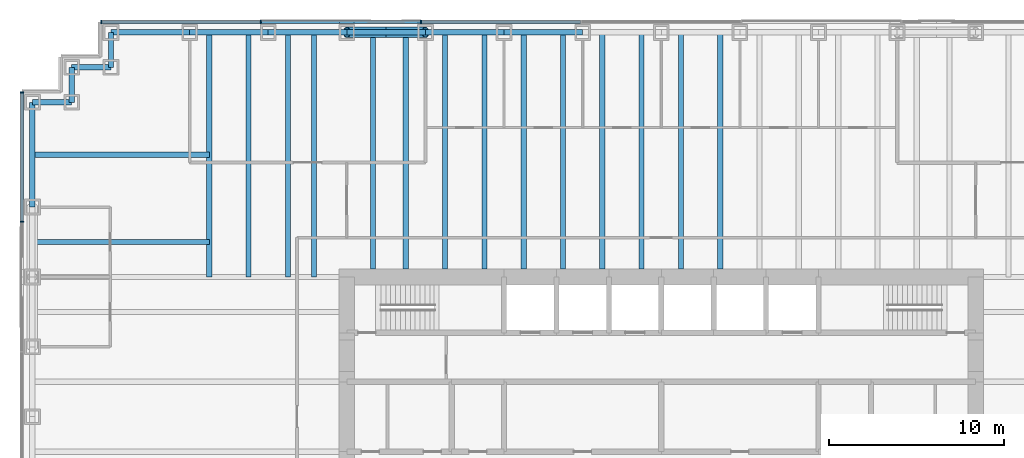
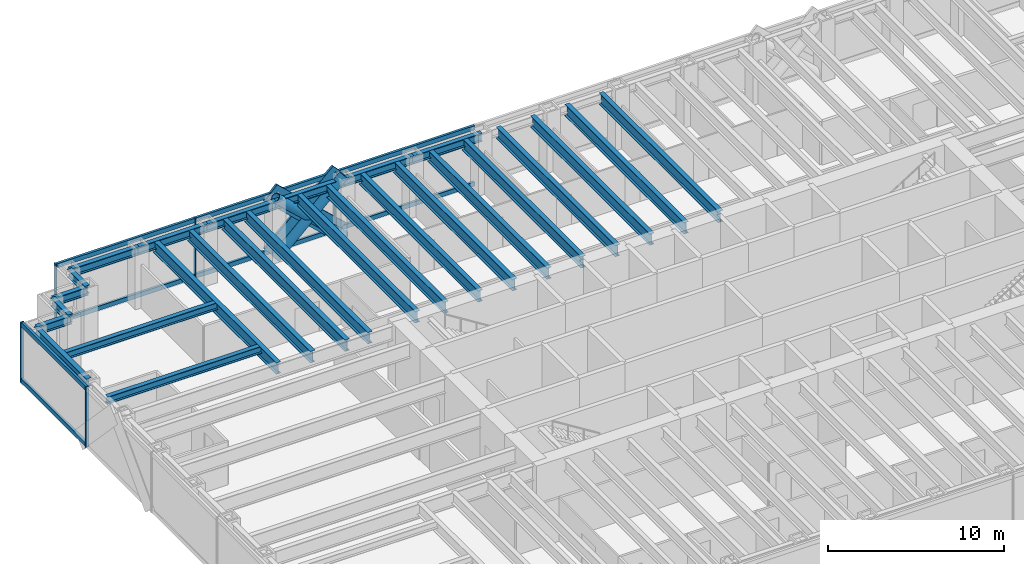
# One storey, part 6 of 15: 27 beams, 17 members, 2 elements without a shape of their own.
"""IFC4 building model written with IfcOpenShell, lengths in metres."""

from ifc_helpers import new_model, si_unit, direction, frame, origin, origin_2d, place, context, subcontext, project, spatial, rectangle, hollow_circle, i_section, extrude, material, material_profile, profile_set, type_object, element, aggregate, save


model = new_model("IFC4")

# Units and contexts
model_context = context("Model", 3, precision=1e-05, world=origin(), true_north=direction((0.0, 1.0)))
body_context = subcontext(model_context, "Body", "Model", "MODEL_VIEW")
ifc_project = project(units=[si_unit("LENGTHUNIT", "METRE"), si_unit("AREAUNIT", "SQUARE_METRE"), si_unit("VOLUMEUNIT", "CUBIC_METRE"), si_unit("PLANEANGLEUNIT", "RADIAN"), si_unit("MASSUNIT", "GRAM", prefix="KILO")], contexts=[model_context])

# Site, building, storey
site_placement = place(None, origin())
site = spatial("IfcSite", under=ifc_project, at=site_placement, CompositionType="ELEMENT")
building_placement = place(site_placement, origin())
building = spatial("IfcBuilding", under=site, at=building_placement, Name="Rheinbord Bourse Tower", CompositionType="ELEMENT")
storey_placement = place(building_placement, frame((0.0, 0.0, 108.89990234375)))
storey = spatial("IfcBuildingStorey", under=building, at=storey_placement, Name="L23", CompositionType="ELEMENT", Elevation=108.89990234375)

# Curtain wall, members
ifc_material_1 = material(Name="Dark glass and black aluminium", Category="aluminium")
curtain_wall_type = type_object("IfcCurtainWallType", Name="CW2 DARK GLASS CURTAIN WALL", PredefinedType="USERDEFINED", material=ifc_material_1)
curtain_wall_1_placement = place(storey_placement, origin())
curtain_wall_1 = element("IfcCurtainWall", 1, at=curtain_wall_1_placement, inside=storey, type_object=curtain_wall_type, Name="Curtain wall CW2 N L23", ObjectType="UNITISED CURTAIN WALL", PredefinedType="USERDEFINED")
ifc_material_2 = material(Name="Black anodised aluminium", Category="aluminium")
ifc_material_profile_1 = material_profile(ifc_material_2, rectangle(XDim=0.159912109375, YDim=1.2099609375, at=origin_2d()), Name="CW2 DIAGONAL MULLION 1210x160")
ifc_profile_set_1 = profile_set([ifc_material_profile_1], Name="Black anodised aluminium")
member_type_1 = type_object("IfcMemberType", Name="CW2 BLACK DIAGONAL MULLION", PredefinedType="USERDEFINED", material=ifc_profile_set_1)
member_1_placement = place(storey_placement, frame((22.5, 46.60009765625, 0.0), z_axis=(-0.731039441158, 0.0, 0.682335207557), x_axis=(0.0, -1.0, 0.0)))
member_1 = element("IfcMember", 2, at=member_1_placement, type_object=member_type_1, Name="CW2 diagonal mullion a", ObjectType="DIAGONAL MULLION", PredefinedType="USERDEFINED", context=body_context, shape_type="SweptSolid", body=[
    extrude(rectangle(XDim=0.159912109375, YDim=1.2099609375, at=origin_2d()), origin(), (0.0, 0.0, 1.0), 6.155517578125),
])
member_2_placement = place(storey_placement, frame((18.0, 46.60009765625, 0.0), z_axis=(0.731039441158, 0.0, 0.682335207557), x_axis=(0.0, 1.0, 0.0)))
member_2 = element("IfcMember", 3, at=member_2_placement, type_object=member_type_1, Name="CW2 diagonal mullion c", ObjectType="DIAGONAL MULLION", PredefinedType="USERDEFINED", context=body_context, shape_type="SweptSolid", body=[
    extrude(rectangle(XDim=0.159912109375, YDim=1.2099609375, at=origin_2d()), origin(), (0.0, 0.0, 1.0), 6.155517578125),
])
ifc_material_3 = material(Name="Black anodised aluminium", Category="aluminium")
ifc_material_profile_2 = material_profile(ifc_material_3, rectangle(XDim=0.219970703125, YDim=0.070068359375, at=origin_2d()), Name="CW2 MULLION 70x220")
ifc_profile_set_2 = profile_set([ifc_material_profile_2], Name="Black anodised aluminium")
member_type_2 = type_object("IfcMemberType", Name="CW2 BLACK MULLION", PredefinedType="MULLION", material=ifc_profile_set_2)
member_3_placement = place(storey_placement, frame((22.242919921875, 46.60009765625, 0.0), z_axis=(0.0, 0.0, 1.0), x_axis=(0.0, -1.0, 0.0)))
member_3 = element("IfcMember", 4, at=member_3_placement, type_object=member_type_2, Name="CW2 mullion 6", PredefinedType="MULLION", context=body_context, shape_type="SweptSolid", body=[
    extrude(rectangle(XDim=0.219970703125, YDim=0.070068359375, at=origin_2d()), origin(), (0.0, 0.0, 1.0), 4.2001953125),
])
member_4_placement = place(storey_placement, frame((13.071533203125, 46.60009765625, 0.0), z_axis=(0.0, 0.0, 1.0), x_axis=(0.0, -1.0, 0.0)))
member_4 = element("IfcMember", 5, at=member_4_placement, type_object=member_type_2, Name="CW2 mullion 7", PredefinedType="MULLION", context=body_context, shape_type="SweptSolid", body=[
    extrude(rectangle(XDim=0.219970703125, YDim=0.070068359375, at=origin_2d()), origin(), (0.0, 0.0, 1.0), 4.2001953125),
])
member_5_placement = place(storey_placement, frame((3.93505859375, 46.60009765625, 0.0), z_axis=(0.0, 0.0, 1.0), x_axis=(0.0, -1.0, 0.0)))
member_5 = element("IfcMember", 6, at=member_5_placement, type_object=member_type_2, Name="CW2 mullion 8", PredefinedType="MULLION", context=body_context, shape_type="SweptSolid", body=[
    extrude(rectangle(XDim=0.219970703125, YDim=0.070068359375, at=origin_2d()), origin(), (0.0, 0.0, 1.0), 4.2001953125),
])

curtain_wall_2_placement = place(storey_placement, origin())
curtain_wall_2 = element("IfcCurtainWall", 7, at=curtain_wall_2_placement, inside=storey, type_object=curtain_wall_type, Name="Curtain wall CW2 W L23", ObjectType="UNITISED CURTAIN WALL", PredefinedType="USERDEFINED")
member_6_placement = place(storey_placement, frame((-0.60009765625, 42.56494140625, 0.0), z_axis=(0.0, 0.0, 1.0), x_axis=(1.0, 0.0, 0.0)))
member_6 = element("IfcMember", 8, at=member_6_placement, type_object=member_type_2, Name="CW2 mullion 1", PredefinedType="MULLION", context=body_context, shape_type="SweptSolid", body=[
    extrude(rectangle(XDim=0.219970703125, YDim=0.070068359375, at=origin_2d()), origin(), (0.0, 0.0, 1.0), 4.2001953125),
])
member_7_placement = place(storey_placement, frame((-0.60009765625, 35.159912109375, 0.0), z_axis=(0.0, 0.0, 1.0), x_axis=(1.0, 0.0, 0.0)))
member_7 = element("IfcMember", 9, at=member_7_placement, type_object=member_type_2, Name="CW2 mullion 2", PredefinedType="MULLION", context=body_context, shape_type="SweptSolid", body=[
    extrude(rectangle(XDim=0.219970703125, YDim=0.070068359375, at=origin_2d()), origin(), (0.0, 0.0, 1.0), 4.2001953125),
])

# Member
ifc_material_4 = material(Name="Black anodised aluminium", Category="aluminium")
ifc_material_profile_3 = material_profile(ifc_material_4, rectangle(XDim=0.159912109375, YDim=0.300048828125, at=origin_2d()), Name="CW2 TRANSOM 300x160")
ifc_profile_set_3 = profile_set([ifc_material_profile_3], Name="Black anodised aluminium")
member_type_3 = type_object("IfcMemberType", Name="CW2 BLACK TRANSOM", PredefinedType="USERDEFINED", material=ifc_profile_set_3)
member_8_placement = place(storey_placement, frame((31.37939453125, 46.60009765625, 0.150146484375), z_axis=(-1.0, 0.0, 0.0), x_axis=(0.0, -1.0, 0.0)))
member_8 = element("IfcMember", 10, at=member_8_placement, type_object=member_type_3, Name="CW2 transom 5.1", ObjectType="TRANSOM", PredefinedType="USERDEFINED", context=body_context, shape_type="SweptSolid", body=[
    extrude(rectangle(XDim=0.159912109375, YDim=0.300048828125, at=origin_2d()), origin(), (0.0, 0.0, 1.0), 9.1015625),
])

member_9_placement = place(storey_placement, frame((31.37939453125, 46.60009765625, 4.050048828125), z_axis=(-1.0, 0.0, 0.0), x_axis=(0.0, -1.0, 0.0)))
member_9 = element("IfcMember", 11, at=member_9_placement, type_object=member_type_3, Name="CW2 transom 5.2", ObjectType="TRANSOM", PredefinedType="USERDEFINED", context=body_context, shape_type="SweptSolid", body=[
    extrude(rectangle(XDim=0.159912109375, YDim=0.300048828125, at=origin_2d()), origin(), (0.0, 0.0, 1.0), 9.1015625),
])

member_10_placement = place(storey_placement, frame((22.207763671875, 46.60009765625, 0.150146484375), z_axis=(-1.0, 0.0, 0.0), x_axis=(0.0, -1.0, 0.0)))
member_10 = element("IfcMember", 12, at=member_10_placement, type_object=member_type_3, Name="CW2 transom 6.1", ObjectType="TRANSOM", PredefinedType="USERDEFINED", context=body_context, shape_type="SweptSolid", body=[
    extrude(rectangle(XDim=0.159912109375, YDim=0.300048828125, at=origin_2d()), origin(), (0.0, 0.0, 1.0), 9.101318359375),
])

member_11_placement = place(storey_placement, frame((22.207763671875, 46.60009765625, 4.050048828125), z_axis=(-1.0, 0.0, 0.0), x_axis=(0.0, -1.0, 0.0)))
member_11 = element("IfcMember", 13, at=member_11_placement, type_object=member_type_3, Name="CW2 transom 6.2", ObjectType="TRANSOM", PredefinedType="USERDEFINED", context=body_context, shape_type="SweptSolid", body=[
    extrude(rectangle(XDim=0.159912109375, YDim=0.300048828125, at=origin_2d()), origin(), (0.0, 0.0, 1.0), 9.101318359375),
])

member_12_placement = place(storey_placement, frame((13.036376953125, 46.60009765625, 0.150146484375), z_axis=(-1.0, 0.0, 0.0), x_axis=(0.0, -1.0, 0.0)))
member_12 = element("IfcMember", 14, at=member_12_placement, type_object=member_type_3, Name="CW2 transom 7.1", ObjectType="TRANSOM", PredefinedType="USERDEFINED", context=body_context, shape_type="SweptSolid", body=[
    extrude(rectangle(XDim=0.159912109375, YDim=0.300048828125, at=origin_2d()), origin(), (0.0, 0.0, 1.0), 9.06640625),
])

member_13_placement = place(storey_placement, frame((13.036376953125, 46.60009765625, 4.050048828125), z_axis=(-1.0, 0.0, 0.0), x_axis=(0.0, -1.0, 0.0)))
member_13 = element("IfcMember", 15, at=member_13_placement, type_object=member_type_3, Name="CW2 transom 7.2", ObjectType="TRANSOM", PredefinedType="USERDEFINED", context=body_context, shape_type="SweptSolid", body=[
    extrude(rectangle(XDim=0.159912109375, YDim=0.300048828125, at=origin_2d()), origin(), (0.0, 0.0, 1.0), 9.06640625),
])

aggregate(curtain_wall_1, [member_3, member_4, member_5, member_8, member_9, member_10, member_11, member_12, member_13, member_1, member_2])

member_14_placement = place(storey_placement, frame((-0.60009765625, 42.530029296875, 0.150146484375), z_axis=(0.0, -1.0, 0.0), x_axis=(1.0, 0.0, 0.0)))
member_14 = element("IfcMember", 16, at=member_14_placement, type_object=member_type_3, Name="CW2 transom 1.1", ObjectType="TRANSOM", PredefinedType="USERDEFINED", context=body_context, shape_type="SweptSolid", body=[
    extrude(rectangle(XDim=0.159912109375, YDim=0.300048828125, at=origin_2d()), origin(), (0.0, 0.0, 1.0), 7.3349609375),
])

member_15_placement = place(storey_placement, frame((-0.60009765625, 42.530029296875, 4.050048828125), z_axis=(0.0, -1.0, 0.0), x_axis=(1.0, 0.0, 0.0)))
member_15 = element("IfcMember", 17, at=member_15_placement, type_object=member_type_3, Name="CW2 transom 1.2", ObjectType="TRANSOM", PredefinedType="USERDEFINED", context=body_context, shape_type="SweptSolid", body=[
    extrude(rectangle(XDim=0.159912109375, YDim=0.300048828125, at=origin_2d()), origin(), (0.0, 0.0, 1.0), 7.3349609375),
])

aggregate(curtain_wall_2, [member_6, member_7, member_14, member_15])

# Beams
ifc_material_5 = material(Name="Steel S460", Category="steel")
ifc_material_profile_4 = material_profile(ifc_material_5, i_section(OverallWidth=0.300048828125, OverallDepth=0.800048828125, WebThickness=0.017578125, FlangeThickness=0.032958984375, at=origin_2d()), Name="HEB 800")
ifc_profile_set_4 = profile_set([ifc_material_profile_4], Name="Steel S460")
beam_type_1 = type_object("IfcBeamType", Name="FLOOR BEAM HEB 800", PredefinedType="BEAM", material=ifc_profile_set_4)
for number, where, z_axis, x_axis, name in (
    (18, (10.125, 46.0, 3.64013671875), (0.0, -1.0, 0.0), (1.0, 0.0, 0.0), "Floor beam N-9a L24"),
    (19, (12.375, 46.0, 3.64013671875), (0.0, -1.0, 0.0), (1.0, 0.0, 0.0), "Floor beam N-9b L24"),
    (20, (14.625, 46.0, 3.64013671875), (0.0, -1.0, 0.0), (1.0, 0.0, 0.0), "Floor beam N-13.5a L24"),
    (21, (16.125, 46.0, 3.64013671875), (0.0, -1.0, 0.0), (1.0, 0.0, 0.0), "Floor beam N-13.5b L24"),
):
    element("IfcBeam", number, at=place(storey_placement, frame(where, z_axis=z_axis, x_axis=x_axis)), inside=storey, type_object=beam_type_1, Name=name, PredefinedType="BEAM", context=body_context, shape_type="SweptSolid", body=[
        extrude(i_section(OverallWidth=0.300048828125, OverallDepth=0.800048828125, WebThickness=0.017578125, FlangeThickness=0.032958984375, at=origin_2d()), origin(), (0.0, 0.0, 1.0), 14.0),
    ])
for number, where, z_axis, x_axis, name in (
    (22, (19.5, 46.0, 3.64013671875), (0.0, -1.0, 0.0), (1.0, 0.0, 0.0), "Floor beam N-18a L24"),
    (23, (21.375, 46.0, 3.64013671875), (0.0, -1.0, 0.0), (1.0, 0.0, 0.0), "Floor beam N-18b L24"),
    (24, (23.625, 46.0, 3.64013671875), (0.0, -1.0, 0.0), (1.0, 0.0, 0.0), "Floor beam N-22.5a L24"),
    (25, (25.875, 46.0, 3.64013671875), (0.0, -1.0, 0.0), (1.0, 0.0, 0.0), "Floor beam N-22.5b L24"),
    (26, (28.125, 46.0, 3.64013671875), (0.0, -1.0, 0.0), (1.0, 0.0, 0.0), "Floor beam N-27a L24"),
    (27, (30.375, 46.0, 3.64013671875), (0.0, -1.0, 0.0), (1.0, 0.0, 0.0), "Floor beam N-27b L24"),
    (28, (32.625, 46.0, 3.64013671875), (0.0, -1.0, 0.0), (1.0, 0.0, 0.0), "Floor beam N-31.5a L24"),
    (29, (34.875, 46.0, 3.64013671875), (0.0, -1.0, 0.0), (1.0, 0.0, 0.0), "Floor beam N-31.5b L24"),
    (30, (37.125, 46.0, 3.64013671875), (0.0, -1.0, 0.0), (1.0, 0.0, 0.0), "Floor beam N-36a L24"),
    (31, (39.375, 46.0, 3.64013671875), (0.0, -1.0, 0.0), (1.0, 0.0, 0.0), "Floor beam N-36b L24"),
):
    element("IfcBeam", number, at=place(storey_placement, frame(where, z_axis=z_axis, x_axis=x_axis)), inside=storey, type_object=beam_type_1, Name=name, PredefinedType="BEAM", context=body_context, shape_type="SweptSolid", body=[
        extrude(i_section(OverallWidth=0.300048828125, OverallDepth=0.800048828125, WebThickness=0.017578125, FlangeThickness=0.032958984375, at=origin_2d()), origin(), (0.0, 0.0, 1.0), 13.550048828125),
    ])

# Members
ifc_material_6 = material(Name="Steel S460", Category="steel")
ifc_material_profile_5 = material_profile(ifc_material_6, hollow_circle(Radius=0.304931640625, WallThickness=0.0400390625, at=origin_2d()), Name="CHS 610x40")
ifc_profile_set_5 = profile_set([ifc_material_profile_5], Name="Steel S460")
member_type_4 = type_object("IfcMemberType", Name="MEGABRACE CHS 610x40", PredefinedType="BRACE", material=ifc_profile_set_5)
for number, where, z_axis, x_axis, name in (
    (32, (22.5, 46.0, 0.0), (-0.731039441158, 0.0, 0.682335207557), (0.0, -1.0, 0.0), "Megabrace N face line a L23"),
    (33, (18.0, 46.0, 0.0), (0.731039441158, 0.0, 0.682335207557), (0.0, 1.0, 0.0), "Megabrace N face line c L23"),
):
    element("IfcMember", number, at=place(storey_placement, frame(where, z_axis=z_axis, x_axis=x_axis)), inside=storey, type_object=member_type_4, Name=name, PredefinedType="BRACE", context=body_context, shape_type="SweptSolid", body=[
        extrude(hollow_circle(Radius=0.304931640625, WallThickness=0.0400390625, at=origin_2d()), origin(), (0.0, 0.0, 1.0), 6.155517578125),
    ])

# Beams
ifc_material_7 = material(Name="Steel S460", Category="steel")
ifc_material_profile_6 = material_profile(ifc_material_7, i_section(OverallWidth=0.305908203125, OverallDepth=0.572021484375, WebThickness=0.02099609375, FlangeThickness=0.0400390625, at=origin_2d()), Name="HEM 550")
ifc_profile_set_6 = profile_set([ifc_material_profile_6], Name="Steel S460")
beam_type_2 = type_object("IfcBeamType", Name="SPANDREL HEM 550", PredefinedType="SPANDREL", material=ifc_profile_set_6)
for number, where, z_axis, x_axis, name in (
    (34, (31.5, 46.0, 3.754150390625), (-1.0, 0.0, 0.0), (0.0, -1.0, 0.0), "Spandrel N-31.5-N-27 under L24"),
    (35, (27.0, 46.0, 3.754150390625), (-1.0, 0.0, 0.0), (0.0, -1.0, 0.0), "Spandrel N-27-N-22.5 under L24"),
    (36, (22.5, 46.0, 3.754150390625), (-1.0, 0.0, 0.0), (0.0, -1.0, 0.0), "Spandrel N-22.5-N-18 under L24"),
    (37, (18.0, 46.0, 3.754150390625), (-1.0, 0.0, 0.0), (0.0, -1.0, 0.0), "Spandrel N-18-N-13.5 under L24"),
    (38, (13.5, 46.0, 3.754150390625), (-1.0, 0.0, 0.0), (0.0, -1.0, 0.0), "Spandrel N-13.5-N-9 under L24"),
    (39, (9.0, 46.0, 3.754150390625), (-1.0, 0.0, 0.0), (0.0, -1.0, 0.0), "Spandrel N-9-NW-E under L24"),
):
    element("IfcBeam", number, at=place(storey_placement, frame(where, z_axis=z_axis, x_axis=x_axis)), inside=storey, type_object=beam_type_2, Name=name, PredefinedType="SPANDREL", context=body_context, shape_type="SweptSolid", body=[
        extrude(i_section(OverallWidth=0.305908203125, OverallDepth=0.572021484375, WebThickness=0.02099609375, FlangeThickness=0.0400390625, at=origin_2d()), origin(), (0.0, 0.0, 1.0), 4.5),
    ])
beam_1_placement = place(storey_placement, frame((4.5, 46.0, 3.754150390625), z_axis=(0.0, -1.0, 0.0), x_axis=(1.0, 0.0, 0.0)))
element("IfcBeam", 40, at=beam_1_placement, inside=storey, type_object=beam_type_2, Name="Spandrel NW-E-NW-D under L24", PredefinedType="SPANDREL", context=body_context, shape_type="SweptSolid", body=[
    extrude(i_section(OverallWidth=0.305908203125, OverallDepth=0.572021484375, WebThickness=0.02099609375, FlangeThickness=0.0400390625, at=origin_2d()), origin(), (0.0, 0.0, 1.0), 2.0),
])
beam_2_placement = place(storey_placement, frame((4.5, 44.0, 3.754150390625), z_axis=(-1.0, 0.0, 0.0), x_axis=(0.0, -1.0, 0.0)))
element("IfcBeam", 41, at=beam_2_placement, inside=storey, type_object=beam_type_2, Name="Spandrel NW-D-NW-C under L24", PredefinedType="SPANDREL", context=body_context, shape_type="SweptSolid", body=[
    extrude(i_section(OverallWidth=0.305908203125, OverallDepth=0.572021484375, WebThickness=0.02099609375, FlangeThickness=0.0400390625, at=origin_2d()), origin(), (0.0, 0.0, 1.0), 2.25),
])
beam_3_placement = place(storey_placement, frame((2.25, 44.0, 3.754150390625), z_axis=(0.0, -1.0, 0.0), x_axis=(1.0, 0.0, 0.0)))
element("IfcBeam", 42, at=beam_3_placement, inside=storey, type_object=beam_type_2, Name="Spandrel NW-C-NW-B under L24", PredefinedType="SPANDREL", context=body_context, shape_type="SweptSolid", body=[
    extrude(i_section(OverallWidth=0.305908203125, OverallDepth=0.572021484375, WebThickness=0.02099609375, FlangeThickness=0.0400390625, at=origin_2d()), origin(), (0.0, 0.0, 1.0), 2.0),
])
beam_4_placement = place(storey_placement, frame((2.25, 42.0, 3.754150390625), z_axis=(-1.0, 0.0, 0.0), x_axis=(0.0, -1.0, 0.0)))
element("IfcBeam", 43, at=beam_4_placement, inside=storey, type_object=beam_type_2, Name="Spandrel NW-B-NW-A under L24", PredefinedType="SPANDREL", context=body_context, shape_type="SweptSolid", body=[
    extrude(i_section(OverallWidth=0.305908203125, OverallDepth=0.572021484375, WebThickness=0.02099609375, FlangeThickness=0.0400390625, at=origin_2d()), origin(), (0.0, 0.0, 1.0), 2.25),
])
beam_5_placement = place(storey_placement, frame((0.0, 42.0, 3.754150390625), z_axis=(0.0, -1.0, 0.0), x_axis=(1.0, 0.0, 0.0)))
element("IfcBeam", 44, at=beam_5_placement, inside=storey, type_object=beam_type_2, Name="Spandrel NW-A-W-36 under L24", PredefinedType="SPANDREL", context=body_context, shape_type="SweptSolid", body=[
    extrude(i_section(OverallWidth=0.305908203125, OverallDepth=0.572021484375, WebThickness=0.02099609375, FlangeThickness=0.0400390625, at=origin_2d()), origin(), (0.0, 0.0, 1.0), 6.0),
])
ifc_material_8 = material(Name="Steel S460", Category="steel")
ifc_material_profile_7 = material_profile(ifc_material_8, i_section(OverallWidth=0.300048828125, OverallDepth=0.5, WebThickness=0.014404296875, FlangeThickness=0.028076171875, at=origin_2d()), Name="HEB 500")
ifc_profile_set_7 = profile_set([ifc_material_profile_7], Name="Steel S460")
beam_type_3 = type_object("IfcBeamType", Name="TIE BEAM HEB 500", PredefinedType="JOIST", material=ifc_profile_set_7)
for number, where, z_axis, x_axis, name in (
    (45, (0.0, 34.0, 3.7900390625), (1.0, 0.0, 0.0), (0.0, 1.0, 0.0), "Tie west 34 L24"),
    (46, (0.0, 39.0, 3.7900390625), (1.0, 0.0, 0.0), (0.0, 1.0, 0.0), "Tie west 39 L24"),
):
    element("IfcBeam", number, at=place(storey_placement, frame(where, z_axis=z_axis, x_axis=x_axis)), inside=storey, type_object=beam_type_3, Name=name, PredefinedType="JOIST", context=body_context, shape_type="SweptSolid", body=[
        extrude(i_section(OverallWidth=0.300048828125, OverallDepth=0.5, WebThickness=0.014404296875, FlangeThickness=0.028076171875, at=origin_2d()), origin(), (0.0, 0.0, 1.0), 10.125),
    ])

save(model, "model.ifc")
